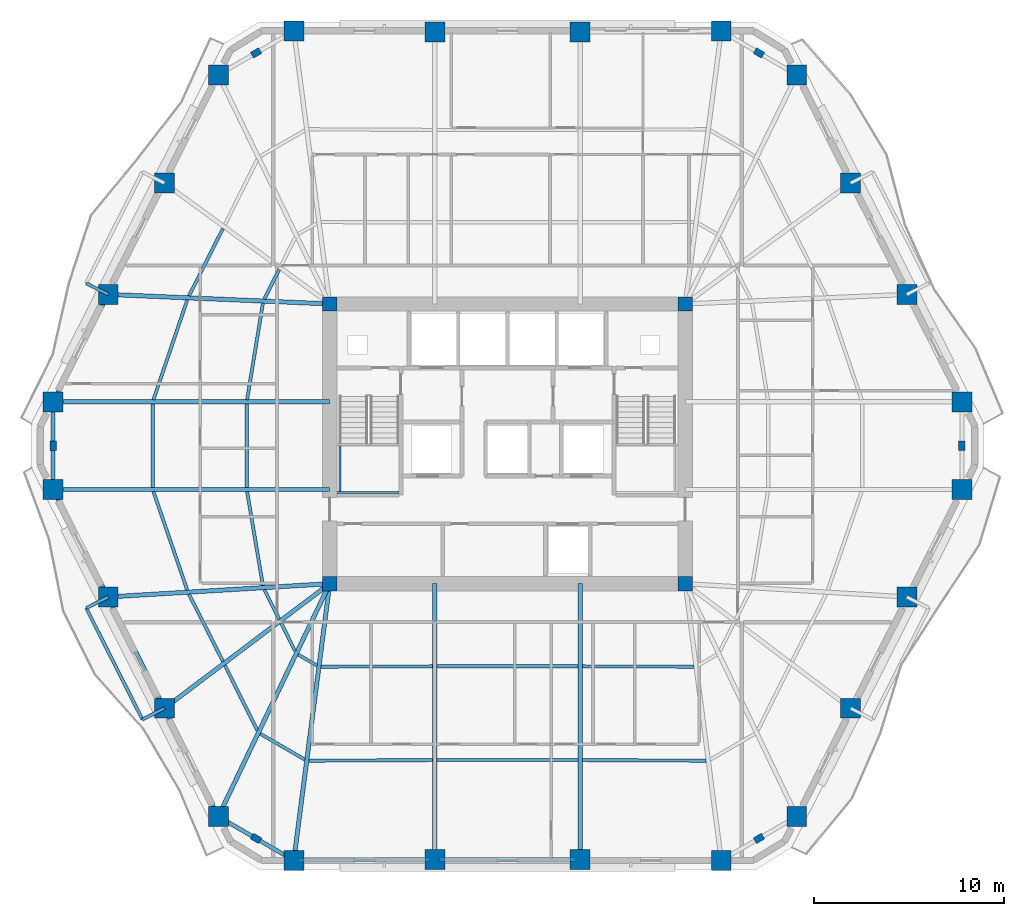
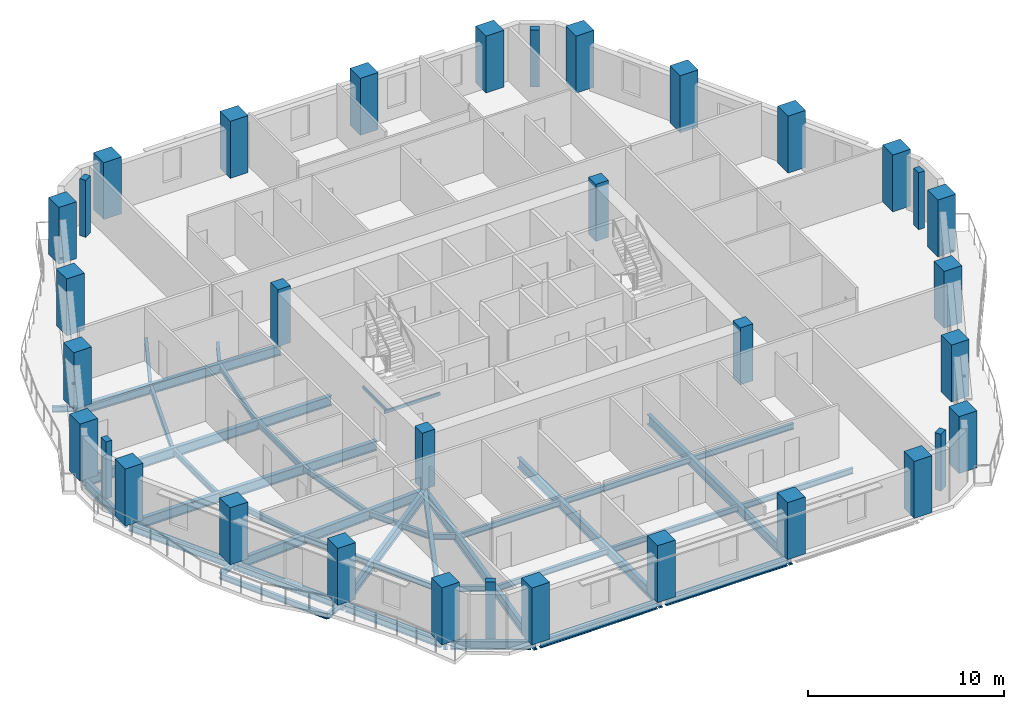
# One storey, part 1 of 12: 43 beams, 34 columns.
"""IFC4 building model written with IfcOpenShell, lengths in metres."""

from ifc_helpers import new_model, si_unit, direction, frame, origin, origin_2d, place, context, subcontext, project, spatial, rectangle, hollow_rectangle, i_section, extrude, material, material_profile, profile_set, type_object, element, save


model = new_model("IFC4")

# Units and contexts
model_context = context("Model", 3, precision=1e-05, world=origin(), true_north=direction((0.0, 1.0)))
body_context = subcontext(model_context, "Body", "Model", "MODEL_VIEW")
ifc_project = project(units=[si_unit("LENGTHUNIT", "METRE"), si_unit("AREAUNIT", "SQUARE_METRE"), si_unit("VOLUMEUNIT", "CUBIC_METRE"), si_unit("PLANEANGLEUNIT", "RADIAN"), si_unit("MASSUNIT", "GRAM", prefix="KILO")], contexts=[model_context])

# Site, building, storey
site_placement = place(None, origin())
site = spatial("IfcSite", under=ifc_project, at=site_placement, CompositionType="ELEMENT")
building_placement = place(site_placement, origin())
building = spatial("IfcBuilding", under=site, at=building_placement, Name="Cinnabar Lancet Tower", CompositionType="ELEMENT")
storey_placement = place(building_placement, frame((0.0, 0.0, 126.800048828125)))
storey = spatial("IfcBuildingStorey", under=building, at=storey_placement, Name="L33", CompositionType="ELEMENT", Elevation=126.800048828125)

# Columns
ifc_material_1 = material(Name="Concrete C70/85", Category="concrete")
ifc_material_profile_1 = material_profile(ifc_material_1, rectangle(XDim=0.75, YDim=0.75, at=origin_2d()), Name="RC-COL 750x750")
ifc_profile_set_1 = profile_set([ifc_material_profile_1], Name="Concrete C70/85")
column_type_1 = type_object("IfcColumnType", Name="STR-COL-CORE-750", PredefinedType="COLUMN", material=ifc_profile_set_1)
for number, where, z_axis, x_axis, name in (
    (1, (23.02490234375, 18.52490234375, 0.0), (0.0, 0.0, 1.0), (1.0, 0.0, 0.0), "L33 Core Corner Column SW"),
    (2, (41.77490234375, 18.52490234375, 0.0), (0.0, 0.0, 1.0), (1.0, 0.0, 0.0), "L33 Core Corner Column SE"),
    (3, (41.77490234375, 33.27490234375, 0.0), (0.0, 0.0, 1.0), (1.0, 0.0, 0.0), "L33 Core Corner Column NE"),
    (4, (23.02490234375, 33.27490234375, 0.0), (0.0, 0.0, 1.0), (1.0, 0.0, 0.0), "L33 Core Corner Column NW"),
):
    element("IfcColumn", number, at=place(storey_placement, frame(where, z_axis=z_axis, x_axis=x_axis)), inside=storey, type_object=column_type_1, Name=name, PredefinedType="COLUMN", context=body_context, shape_type="SweptSolid", body=[
        extrude(rectangle(XDim=0.75, YDim=0.75, at=origin_2d()), origin(), (0.0, 0.0, 1.0), 3.550048828125),
    ])
ifc_material_2 = material(Name="Concrete C60/75", Category="concrete")
ifc_material_profile_2 = material_profile(ifc_material_2, rectangle(XDim=0.5, YDim=0.35009765625, at=origin_2d()), Name="RC-PIL 500x350")
ifc_profile_set_2 = profile_set([ifc_material_profile_2], Name="Concrete C60/75")
column_type_2 = type_object("IfcColumnType", Name="STR-COL-PIL-500", PredefinedType="PILASTER", material=ifc_profile_set_2)
for number, where, z_axis, x_axis, name in (
    (5, (19.14111328125, 5.093017578125, 0.0), (0.0, 0.0, 1.0), (0.865160173452, -0.501495637342, 0.0), "L33 Chamfered Corner Pilaster 1"),
    (6, (45.658935546875, 5.093017578125, 0.0), (0.0, 0.0, 1.0), (0.865160173452, 0.501495637342, 0.0), "L33 Chamfered Corner Pilaster 2"),
    (7, (56.35693359375, 25.800048828125, 0.0), (0.0, 0.0, 1.0), (0.0, 1.0, 0.0), "L33 Chamfered Corner Pilaster 3"),
    (8, (45.658935546875, 46.508056640625, 0.0), (0.0, 0.0, 1.0), (-0.865160173452, 0.501495637342, 0.0), "L33 Chamfered Corner Pilaster 4"),
    (9, (19.14111328125, 46.508056640625, 0.0), (0.0, 0.0, 1.0), (-0.865160173452, -0.501495637342, 0.0), "L33 Chamfered Corner Pilaster 5"),
    (10, (8.443115234375, 25.800048828125, 0.0), (0.0, 0.0, 1.0), (0.0, -1.0, 0.0), "L33 Chamfered Corner Pilaster 6"),
):
    element("IfcColumn", number, at=place(storey_placement, frame(where, z_axis=z_axis, x_axis=x_axis)), inside=storey, type_object=column_type_2, Name=name, PredefinedType="PILASTER", context=body_context, shape_type="SweptSolid", body=[
        extrude(rectangle(XDim=0.5, YDim=0.35009765625, at=origin_2d()), origin(), (0.0, 0.0, 1.0), 3.550048828125),
    ])
ifc_material_3 = material(Name="Concrete C70/85", Category="concrete")
ifc_material_profile_3 = material_profile(ifc_material_3, rectangle(XDim=1.050048828125, YDim=1.050048828125, at=origin_2d()), Name="RC-COL 1050x1050")
ifc_profile_set_3 = profile_set([ifc_material_profile_3], Name="Concrete C70/85")
column_type_3 = type_object("IfcColumnType", Name="STR-COL-TUBE-1050", PredefinedType="COLUMN", material=ifc_profile_set_3)
for number, where, z_axis, x_axis, name in (
    (11, (21.131103515625, 3.93896484375, 0.0), (0.0, 0.0, 1.0), (1.0, 0.0, 0.0), "L33 Perimeter Tube Column 1"),
    (12, (28.568115234375, 3.991943359375, 0.0), (0.0, 0.0, 1.0), (1.0, 0.0, 0.0), "L33 Perimeter Tube Column 2"),
    (13, (36.23193359375, 3.991943359375, 0.0), (0.0, 0.0, 1.0), (1.0, 0.0, 0.0), "L33 Perimeter Tube Column 3"),
    (14, (43.6689453125, 3.93896484375, 0.0), (0.0, 0.0, 1.0), (1.0, 0.0, 0.0), "L33 Perimeter Tube Column 4"),
    (15, (47.64892578125, 6.24609375, 0.0), (0.0, 0.0, 1.0), (1.0, 0.0, 0.0), "L33 Perimeter Tube Column 5"),
    (16, (50.489013671875, 11.955078125, 0.0), (0.0, 0.0, 1.0), (1.0, 0.0, 0.0), "L33 Perimeter Tube Column 6"),
    (17, (53.451904296875, 17.823974609375, 0.0), (0.0, 0.0, 1.0), (1.0, 0.0, 0.0), "L33 Perimeter Tube Column 7"),
    (18, (56.35693359375, 23.490966796875, 0.0), (0.0, 0.0, 1.0), (1.0, 0.0, 0.0), "L33 Perimeter Tube Column 8"),
    (19, (56.35693359375, 28.10888671875, 0.0), (0.0, 0.0, 1.0), (1.0, 0.0, 0.0), "L33 Perimeter Tube Column 9"),
    (20, (53.451904296875, 33.77587890625, 0.0), (0.0, 0.0, 1.0), (1.0, 0.0, 0.0), "L33 Perimeter Tube Column 10"),
    (21, (50.489013671875, 39.64501953125, 0.0), (0.0, 0.0, 1.0), (1.0, 0.0, 0.0), "L33 Perimeter Tube Column 11"),
    (22, (47.64892578125, 45.35400390625, 0.0), (0.0, 0.0, 1.0), (1.0, 0.0, 0.0), "L33 Perimeter Tube Column 12"),
    (23, (43.6689453125, 47.660888671875, 0.0), (0.0, 0.0, 1.0), (1.0, 0.0, 0.0), "L33 Perimeter Tube Column 13"),
    (24, (36.23193359375, 47.60791015625, 0.0), (0.0, 0.0, 1.0), (1.0, 0.0, 0.0), "L33 Perimeter Tube Column 14"),
    (25, (28.568115234375, 47.60791015625, 0.0), (0.0, 0.0, 1.0), (1.0, 0.0, 0.0), "L33 Perimeter Tube Column 15"),
    (26, (21.131103515625, 47.660888671875, 0.0), (0.0, 0.0, 1.0), (1.0, 0.0, 0.0), "L33 Perimeter Tube Column 16"),
    (27, (17.15087890625, 45.35400390625, 0.0), (0.0, 0.0, 1.0), (1.0, 0.0, 0.0), "L33 Perimeter Tube Column 17"),
    (28, (14.31103515625, 39.64501953125, 0.0), (0.0, 0.0, 1.0), (1.0, 0.0, 0.0), "L33 Perimeter Tube Column 18"),
    (29, (11.347900390625, 33.77587890625, 0.0), (0.0, 0.0, 1.0), (1.0, 0.0, 0.0), "L33 Perimeter Tube Column 19"),
    (30, (8.443115234375, 28.10888671875, 0.0), (0.0, 0.0, 1.0), (1.0, 0.0, 0.0), "L33 Perimeter Tube Column 20"),
    (31, (8.443115234375, 23.490966796875, 0.0), (0.0, 0.0, 1.0), (1.0, 0.0, 0.0), "L33 Perimeter Tube Column 21"),
    (32, (11.347900390625, 17.823974609375, 0.0), (0.0, 0.0, 1.0), (1.0, 0.0, 0.0), "L33 Perimeter Tube Column 22"),
    (33, (14.31103515625, 11.955078125, 0.0), (0.0, 0.0, 1.0), (1.0, 0.0, 0.0), "L33 Perimeter Tube Column 23"),
    (34, (17.15087890625, 6.24609375, 0.0), (0.0, 0.0, 1.0), (1.0, 0.0, 0.0), "L33 Perimeter Tube Column 24"),
):
    element("IfcColumn", number, at=place(storey_placement, frame(where, z_axis=z_axis, x_axis=x_axis)), inside=storey, type_object=column_type_3, Name=name, PredefinedType="COLUMN", context=body_context, shape_type="SweptSolid", body=[
        extrude(rectangle(XDim=1.050048828125, YDim=1.050048828125, at=origin_2d()), origin(), (0.0, 0.0, 1.0), 3.550048828125),
    ])

# Beams
ifc_material_4 = material(Name="Structural steel S355", Category="steel")
ifc_material_profile_4 = material_profile(ifc_material_4, i_section(OverallWidth=0.17138671875, OverallDepth=0.35498046875, WebThickness=0.00732421875, FlangeThickness=0.011474609375, FilletRadius=0.01025390625, at=origin_2d()), Name="UKB 356x171x51")
ifc_profile_set_4 = profile_set([ifc_material_profile_4], Name="Structural steel S355")
beam_type_1 = type_object("IfcBeamType", Name="STR-BM-JST-356", PredefinedType="JOIST", material=ifc_profile_set_4)
beam_1_placement = place(storey_placement, frame((13.73193359375, 23.376953125, -0.386962890625), z_axis=(0.324639458548, -0.945837841257, 0.0), x_axis=(0.945837841257, 0.324639458548, 0.0)))
element("IfcBeam", 35, at=beam_1_placement, inside=storey, type_object=beam_type_1, Name="L33 Secondary Floor Joist 1", PredefinedType="JOIST", context=body_context, shape_type="SweptSolid", body=[
    extrude(i_section(OverallWidth=0.17138671875, OverallDepth=0.35498046875, WebThickness=0.00732421875, FlangeThickness=0.011474609375, FilletRadius=0.01025390625, at=origin_2d()), origin(), (0.0, 0.0, 1.0), 5.486083984375),
])
beam_2_placement = place(storey_placement, frame((18.669921875, 23.376953125, -0.386962890625), z_axis=(0.165984412241, -0.986128376477, 0.0), x_axis=(0.986128376477, 0.165984412241, 0.0)))
element("IfcBeam", 36, at=beam_2_placement, inside=storey, type_object=beam_type_1, Name="L33 Secondary Floor Joist 2", PredefinedType="JOIST", context=body_context, shape_type="SweptSolid", body=[
    extrude(i_section(OverallWidth=0.17138671875, OverallDepth=0.35498046875, WebThickness=0.00732421875, FlangeThickness=0.011474609375, FilletRadius=0.01025390625, at=origin_2d()), origin(), (0.0, 0.0, 1.0), 5.0185546875),
])
beam_3_placement = place(storey_placement, frame((15.60791015625, 17.965087890625, -0.386962890625), z_axis=(0.450755070916, -0.892647671841, 0.0), x_axis=(0.892647671841, 0.450755070916, 0.0)))
element("IfcBeam", 37, at=beam_3_placement, inside=storey, type_object=beam_type_1, Name="L33 Secondary Floor Joist 3", PredefinedType="JOIST", context=body_context, shape_type="SweptSolid", body=[
    extrude(i_section(OverallWidth=0.17138671875, OverallDepth=0.35498046875, WebThickness=0.00732421875, FlangeThickness=0.011474609375, FilletRadius=0.01025390625, at=origin_2d()), origin(), (0.0, 0.0, 1.0), 3.966796875),
])
beam_4_placement = place(storey_placement, frame((19.577880859375, 18.2041015625, -0.386962890625), z_axis=(0.450874341268, -0.892587434589, 0.0), x_axis=(0.892587434589, 0.450874341268, 0.0)))
element("IfcBeam", 38, at=beam_4_placement, inside=storey, type_object=beam_type_1, Name="L33 Secondary Floor Joist 4", PredefinedType="JOIST", context=body_context, shape_type="SweptSolid", body=[
    extrude(i_section(OverallWidth=0.17138671875, OverallDepth=0.35498046875, WebThickness=0.00732421875, FlangeThickness=0.011474609375, FilletRadius=0.01025390625, at=origin_2d()), origin(), (0.0, 0.0, 1.0), 1.732177734375),
])
beam_5_placement = place(storey_placement, frame((17.5, 14.216064453125, -0.386962890625), z_axis=(0.445295120803, -0.895383859241, 0.0), x_axis=(0.895383859241, 0.445295120803, 0.0)))
element("IfcBeam", 39, at=beam_5_placement, inside=storey, type_object=beam_type_1, Name="L33 Secondary Floor Joist 5", PredefinedType="JOIST", context=body_context, shape_type="SweptSolid", body=[
    extrude(i_section(OverallWidth=0.17138671875, OverallDepth=0.35498046875, WebThickness=0.00732421875, FlangeThickness=0.011474609375, FilletRadius=0.01025390625, at=origin_2d()), origin(), (0.0, 0.0, 1.0), 3.81982421875),
])
beam_6_placement = place(storey_placement, frame((20.4619140625, 16.449951171875, -0.386962890625), z_axis=(0.445557690111, -0.895253229418, 0.0), x_axis=(0.895253229418, 0.445557690111, 0.0)))
element("IfcBeam", 40, at=beam_6_placement, inside=storey, type_object=beam_type_1, Name="L33 Secondary Floor Joist 6", PredefinedType="JOIST", context=body_context, shape_type="SweptSolid", body=[
    extrude(i_section(OverallWidth=0.17138671875, OverallDepth=0.35498046875, WebThickness=0.00732421875, FlangeThickness=0.011474609375, FilletRadius=0.01025390625, at=origin_2d()), origin(), (0.0, 0.0, 1.0), 1.652099609375),
])
beam_7_placement = place(storey_placement, frame((19.364990234375, 10.60888671875, -0.386962890625), z_axis=(0.865172906898, -0.501473669469, 0.0), x_axis=(0.501473669469, 0.865172906898, 0.0)))
element("IfcBeam", 41, at=beam_7_placement, inside=storey, type_object=beam_type_1, Name="L33 Secondary Floor Joist 7", PredefinedType="JOIST", context=body_context, shape_type="SweptSolid", body=[
    extrude(i_section(OverallWidth=0.17138671875, OverallDepth=0.35498046875, WebThickness=0.00732421875, FlangeThickness=0.011474609375, FilletRadius=0.01025390625, at=origin_2d()), origin(), (0.0, 0.0, 1.0), 2.705810546875),
])
beam_8_placement = place(storey_placement, frame((21.362060546875, 14.783935546875, -0.386962890625), z_axis=(0.865055308165, -0.501676503154, 0.0), x_axis=(0.501676503154, 0.865055308165, 0.0)))
element("IfcBeam", 42, at=beam_8_placement, inside=storey, type_object=beam_type_1, Name="L33 Secondary Floor Joist 8", PredefinedType="JOIST", context=body_context, shape_type="SweptSolid", body=[
    extrude(i_section(OverallWidth=0.17138671875, OverallDepth=0.35498046875, WebThickness=0.00732421875, FlangeThickness=0.011474609375, FilletRadius=0.01025390625, at=origin_2d()), origin(), (0.0, 0.0, 1.0), 1.14208984375),
])
beam_9_placement = place(storey_placement, frame((21.927978515625, 9.19091796875, -0.386962890625), z_axis=(0.999987991898, 0.004900618269, 0.0), x_axis=(-0.004900618269, 0.999987991898, 0.0)))
element("IfcBeam", 43, at=beam_9_placement, inside=storey, type_object=beam_type_1, Name="L33 Secondary Floor Joist 9", PredefinedType="JOIST", context=body_context, shape_type="SweptSolid", body=[
    extrude(i_section(OverallWidth=0.17138671875, OverallDepth=0.35498046875, WebThickness=0.00732421875, FlangeThickness=0.011474609375, FilletRadius=0.01025390625, at=origin_2d()), origin(), (0.0, 0.0, 1.0), 6.526123046875),
])
beam_10_placement = place(storey_placement, frame((22.572021484375, 14.14892578125, -0.386962890625), z_axis=(0.999996247906, 0.002739374605, 0.0), x_axis=(-0.002739374605, 0.999996247906, 0.0)))
element("IfcBeam", 44, at=beam_10_placement, inside=storey, type_object=beam_type_1, Name="L33 Secondary Floor Joist 10", PredefinedType="JOIST", context=body_context, shape_type="SweptSolid", body=[
    extrude(i_section(OverallWidth=0.17138671875, OverallDepth=0.35498046875, WebThickness=0.00732421875, FlangeThickness=0.011474609375, FilletRadius=0.01025390625, at=origin_2d()), origin(), (0.0, 0.0, 1.0), 5.882080078125),
])
for number, where, z_axis, x_axis, name in (
    (45, (28.681884765625, 9.22412109375, -0.386962890625), (1.0, 0.0, 0.0), (0.0, 1.0, 0.0), "L33 Secondary Floor Joist 11"),
    (46, (28.681884765625, 14.1650390625, -0.386962890625), (1.0, 0.0, 0.0), (0.0, 1.0, 0.0), "L33 Secondary Floor Joist 12"),
):
    element("IfcBeam", number, at=place(storey_placement, frame(where, z_axis=z_axis, x_axis=x_axis)), inside=storey, type_object=beam_type_1, Name=name, PredefinedType="JOIST", context=body_context, shape_type="SweptSolid", body=[
        extrude(i_section(OverallWidth=0.17138671875, OverallDepth=0.35498046875, WebThickness=0.00732421875, FlangeThickness=0.011474609375, FilletRadius=0.01025390625, at=origin_2d()), origin(), (0.0, 0.0, 1.0), 7.43603515625),
    ])
beam_11_placement = place(storey_placement, frame((36.345947265625, 9.222900390625, -0.386962890625), z_axis=(0.999987991898, -0.004900618269, 0.0), x_axis=(0.004900618269, 0.999987991898, 0.0)))
element("IfcBeam", 47, at=beam_11_placement, inside=storey, type_object=beam_type_1, Name="L33 Secondary Floor Joist 13", PredefinedType="JOIST", context=body_context, shape_type="SweptSolid", body=[
    extrude(i_section(OverallWidth=0.17138671875, OverallDepth=0.35498046875, WebThickness=0.00732421875, FlangeThickness=0.011474609375, FilletRadius=0.01025390625, at=origin_2d()), origin(), (0.0, 0.0, 1.0), 6.526123046875),
])
beam_12_placement = place(storey_placement, frame((36.345947265625, 14.1650390625, -0.386962890625), z_axis=(0.999996247906, -0.002739374605, 0.0), x_axis=(0.002739374605, 0.999996247906, 0.0)))
element("IfcBeam", 48, at=beam_12_placement, inside=storey, type_object=beam_type_1, Name="L33 Secondary Floor Joist 14", PredefinedType="JOIST", context=body_context, shape_type="SweptSolid", body=[
    extrude(i_section(OverallWidth=0.17138671875, OverallDepth=0.35498046875, WebThickness=0.00732421875, FlangeThickness=0.011474609375, FilletRadius=0.01025390625, at=origin_2d()), origin(), (0.0, 0.0, 1.0), 5.882080078125),
])
beam_13_placement = place(storey_placement, frame((17.39599609375, 37.2490234375, -0.386962890625), z_axis=(-0.450656035687, -0.892697674187, 0.0), x_axis=(0.892697674187, -0.450656035687, 0.0)))
element("IfcBeam", 49, at=beam_13_placement, inside=storey, type_object=beam_type_1, Name="L33 Secondary Floor Joist 43", PredefinedType="JOIST", context=body_context, shape_type="SweptSolid", body=[
    extrude(i_section(OverallWidth=0.17138671875, OverallDepth=0.35498046875, WebThickness=0.00732421875, FlangeThickness=0.011474609375, FilletRadius=0.01025390625, at=origin_2d()), origin(), (0.0, 0.0, 1.0), 3.9677734375),
])
beam_14_placement = place(storey_placement, frame((20.35888671875, 35.0830078125, -0.386962890625), z_axis=(-0.450931068976, -0.892558777354, 0.0), x_axis=(0.892558777354, -0.450931068976, 0.0)))
element("IfcBeam", 50, at=beam_14_placement, inside=storey, type_object=beam_type_1, Name="L33 Secondary Floor Joist 44", PredefinedType="JOIST", context=body_context, shape_type="SweptSolid", body=[
    extrude(i_section(OverallWidth=0.17138671875, OverallDepth=0.35498046875, WebThickness=0.00732421875, FlangeThickness=0.011474609375, FilletRadius=0.01025390625, at=origin_2d()), origin(), (0.0, 0.0, 1.0), 1.73193359375),
])
beam_15_placement = place(storey_placement, frame((15.513916015625, 33.48291015625, -0.386962890625), z_axis=(-0.321023911172, -0.947071089442, 0.0), x_axis=(0.947071089442, -0.321023911172, 0.0)))
element("IfcBeam", 51, at=beam_15_placement, inside=storey, type_object=beam_type_1, Name="L33 Secondary Floor Joist 45", PredefinedType="JOIST", context=body_context, shape_type="SweptSolid", body=[
    extrude(i_section(OverallWidth=0.17138671875, OverallDepth=0.35498046875, WebThickness=0.00732421875, FlangeThickness=0.011474609375, FilletRadius=0.01025390625, at=origin_2d()), origin(), (0.0, 0.0, 1.0), 5.553955078125),
])
beam_16_placement = place(storey_placement, frame((19.5029296875, 33.31201171875, -0.386962890625), z_axis=(-0.161719098977, -0.986836832017, 0.0), x_axis=(0.986836832017, -0.161719098977, 0.0)))
element("IfcBeam", 52, at=beam_16_placement, inside=storey, type_object=beam_type_1, Name="L33 Secondary Floor Joist 46", PredefinedType="JOIST", context=body_context, shape_type="SweptSolid", body=[
    extrude(i_section(OverallWidth=0.17138671875, OverallDepth=0.35498046875, WebThickness=0.00732421875, FlangeThickness=0.011474609375, FilletRadius=0.01025390625, at=origin_2d()), origin(), (0.0, 0.0, 1.0), 5.156982421875),
])
for number, where, z_axis, x_axis, name in (
    (53, (13.693115234375, 27.9951171875, -0.386962890625), (0.0, -1.0, 0.0), (1.0, 0.0, 0.0), "L33 Secondary Floor Joist 47"),
    (54, (18.64990234375, 27.9951171875, -0.386962890625), (0.0, -1.0, 0.0), (1.0, 0.0, 0.0), "L33 Secondary Floor Joist 48"),
):
    element("IfcBeam", number, at=place(storey_placement, frame(where, z_axis=z_axis, x_axis=x_axis)), inside=storey, type_object=beam_type_1, Name=name, PredefinedType="JOIST", context=body_context, shape_type="SweptSolid", body=[
        extrude(i_section(OverallWidth=0.17138671875, OverallDepth=0.35498046875, WebThickness=0.00732421875, FlangeThickness=0.011474609375, FilletRadius=0.01025390625, at=origin_2d()), origin(), (0.0, 0.0, 1.0), 4.39013671875),
    ])
ifc_material_5 = material(Name="Structural steel S355", Category="steel")
ifc_material_profile_5 = material_profile(ifc_material_5, hollow_rectangle(XDim=0.10009765625, YDim=0.199951171875, WallThickness=0.008056640625, InnerFilletRadius=0.00390625, OuterFilletRadius=0.011962890625, at=origin_2d()), Name="RHS 200x100x8")
ifc_profile_set_5 = profile_set([ifc_material_profile_5], Name="Structural steel S355")
beam_type_2 = type_object("IfcBeamType", Name="STR-BM-LND-203", PredefinedType="BEAM", material=ifc_profile_set_5)
beam_17_placement = place(storey_placement, frame((23.39990234375, 23.330078125, 1.474853515625), z_axis=(1.0, 0.0, 0.0), x_axis=(0.0, 1.0, 0.0)))
element("IfcBeam", 55, at=beam_17_placement, inside=storey, type_object=beam_type_2, Name="L33 ST-1-L33 Landing Support Beam S", PredefinedType="BEAM", context=body_context, shape_type="SweptSolid", body=[
    extrude(hollow_rectangle(XDim=0.10009765625, YDim=0.199951171875, WallThickness=0.008056640625, InnerFilletRadius=0.00390625, OuterFilletRadius=0.011962890625, at=origin_2d()), origin(), (0.0, 0.0, 1.0), 3.280029296875),
])
beam_18_placement = place(storey_placement, frame((23.580078125, 23.3798828125, 1.474853515625), z_axis=(0.0, 1.0, 0.0), x_axis=(-1.0, 0.0, 0.0)))
element("IfcBeam", 56, at=beam_18_placement, inside=storey, type_object=beam_type_2, Name="L33 ST-1-L33 Landing Side Trimmer Beam", PredefinedType="BEAM", context=body_context, shape_type="SweptSolid", body=[
    extrude(hollow_rectangle(XDim=0.10009765625, YDim=0.199951171875, WallThickness=0.008056640625, InnerFilletRadius=0.00390625, OuterFilletRadius=0.011962890625, at=origin_2d()), origin(), (0.0, 0.0, 1.0), 2.4150390625),
])
ifc_material_6 = material(Name="Structural steel S355", Category="steel")
ifc_material_profile_6 = material_profile(ifc_material_6, i_section(OverallWidth=0.209228515625, OverallDepth=0.533203125, WebThickness=0.010009765625, FlangeThickness=0.015625, FilletRadius=0.0126953125, at=origin_2d()), Name="UKB 533x210x92")
ifc_profile_set_6 = profile_set([ifc_material_profile_6], Name="Structural steel S355")
beam_type_3 = type_object("IfcBeamType", Name="STR-BM-SPN-533", PredefinedType="SPANDREL", material=ifc_profile_set_6)
beam_19_placement = place(storey_placement, frame((21.381103515625, 3.94091796875, -0.47705078125), z_axis=(0.999974980359, 0.007073800628, 0.0), x_axis=(-0.007073800628, 0.999974980359, 0.0)))
element("IfcBeam", 57, at=beam_19_placement, inside=storey, type_object=beam_type_3, Name="L33 Perimeter Spandrel 1", PredefinedType="SPANDREL", context=body_context, shape_type="SweptSolid", body=[
    extrude(i_section(OverallWidth=0.209228515625, OverallDepth=0.533203125, WebThickness=0.010009765625, FlangeThickness=0.015625, FilletRadius=0.0126953125, at=origin_2d()), origin(), (0.0, 0.0, 1.0), 6.937255859375),
])
beam_20_placement = place(storey_placement, frame((28.818115234375, 3.991943359375, -0.47705078125), z_axis=(1.0, 0.0, 0.0), x_axis=(0.0, 1.0, 0.0)))
element("IfcBeam", 58, at=beam_20_placement, inside=storey, type_object=beam_type_3, Name="L33 Perimeter Spandrel 2", PredefinedType="SPANDREL", context=body_context, shape_type="SweptSolid", body=[
    extrude(i_section(OverallWidth=0.209228515625, OverallDepth=0.533203125, WebThickness=0.010009765625, FlangeThickness=0.015625, FilletRadius=0.0126953125, at=origin_2d()), origin(), (0.0, 0.0, 1.0), 7.163818359375),
])
beam_21_placement = place(storey_placement, frame((11.23388671875, 33.553955078125, -0.47705078125), z_axis=(-0.456126618405, -0.889914888055, 0.0), x_axis=(0.889914888055, -0.456126618405, 0.0)))
element("IfcBeam", 59, at=beam_21_placement, inside=storey, type_object=beam_type_3, Name="L33 Perimeter Spandrel 19", PredefinedType="SPANDREL", context=body_context, shape_type="SweptSolid", body=[
    extrude(i_section(OverallWidth=0.209228515625, OverallDepth=0.533203125, WebThickness=0.010009765625, FlangeThickness=0.015625, FilletRadius=0.0126953125, at=origin_2d()), origin(), (0.0, 0.0, 1.0), 5.868896484375),
])
beam_22_placement = place(storey_placement, frame((8.443115234375, 27.85888671875, -0.47705078125), z_axis=(0.0, -1.0, 0.0), x_axis=(1.0, 0.0, 0.0)))
element("IfcBeam", 60, at=beam_22_placement, inside=storey, type_object=beam_type_3, Name="L33 Perimeter Spandrel 20", PredefinedType="SPANDREL", context=body_context, shape_type="SweptSolid", body=[
    extrude(i_section(OverallWidth=0.209228515625, OverallDepth=0.533203125, WebThickness=0.010009765625, FlangeThickness=0.015625, FilletRadius=0.0126953125, at=origin_2d()), origin(), (0.0, 0.0, 1.0), 4.117919921875),
])
beam_23_placement = place(storey_placement, frame((8.556884765625, 23.26904296875, -0.47705078125), z_axis=(0.456109733574, -0.889923542187, 0.0), x_axis=(0.889923542187, 0.456109733574, 0.0)))
element("IfcBeam", 61, at=beam_23_placement, inside=storey, type_object=beam_type_3, Name="L33 Perimeter Spandrel 21", PredefinedType="SPANDREL", context=body_context, shape_type="SweptSolid", body=[
    extrude(i_section(OverallWidth=0.209228515625, OverallDepth=0.533203125, WebThickness=0.010009765625, FlangeThickness=0.015625, FilletRadius=0.0126953125, at=origin_2d()), origin(), (0.0, 0.0, 1.0), 5.869140625),
])
beam_24_placement = place(storey_placement, frame((11.4609375, 17.60107421875, -0.47705078125), z_axis=(0.450570325924, -0.892740937449, 0.0), x_axis=(0.892740937449, 0.450570325924, 0.0)))
element("IfcBeam", 62, at=beam_24_placement, inside=storey, type_object=beam_type_3, Name="L33 Perimeter Spandrel 22", PredefinedType="SPANDREL", context=body_context, shape_type="SweptSolid", body=[
    extrude(i_section(OverallWidth=0.209228515625, OverallDepth=0.533203125, WebThickness=0.010009765625, FlangeThickness=0.015625, FilletRadius=0.0126953125, at=origin_2d()), origin(), (0.0, 0.0, 1.0), 6.07470703125),
])
beam_25_placement = place(storey_placement, frame((14.422119140625, 11.73095703125, -0.47705078125), z_axis=(0.445501068635, -0.89528140707, 0.0), x_axis=(0.89528140707, 0.445501068635, 0.0)))
element("IfcBeam", 63, at=beam_25_placement, inside=storey, type_object=beam_type_3, Name="L33 Perimeter Spandrel 23", PredefinedType="SPANDREL", context=body_context, shape_type="SweptSolid", body=[
    extrude(i_section(OverallWidth=0.209228515625, OverallDepth=0.533203125, WebThickness=0.010009765625, FlangeThickness=0.015625, FilletRadius=0.0126953125, at=origin_2d()), origin(), (0.0, 0.0, 1.0), 5.87646484375),
])
beam_26_placement = place(storey_placement, frame((17.366943359375, 6.12109375, -0.47705078125), z_axis=(0.865112299906, -0.501578217781, 0.0), x_axis=(0.501578217781, 0.865112299906, 0.0)))
element("IfcBeam", 64, at=beam_26_placement, inside=storey, type_object=beam_type_3, Name="L33 Perimeter Spandrel 24", PredefinedType="SPANDREL", context=body_context, shape_type="SweptSolid", body=[
    extrude(i_section(OverallWidth=0.209228515625, OverallDepth=0.533203125, WebThickness=0.010009765625, FlangeThickness=0.015625, FilletRadius=0.0126953125, at=origin_2d()), origin(), (0.0, 0.0, 1.0), 4.101318359375),
])
ifc_material_7 = material(Name="Structural steel S355", Category="steel")
ifc_material_profile_7 = material_profile(ifc_material_7, i_section(OverallWidth=0.228271484375, OverallDepth=0.607666015625, WebThickness=0.010986328125, FlangeThickness=0.017333984375, FilletRadius=0.0126953125, at=origin_2d()), Name="UKB 610x229x113")
ifc_profile_set_7 = profile_set([ifc_material_profile_7], Name="Structural steel S355")
beam_type_4 = type_object("IfcBeamType", Name="STR-BM-UKB610-113", PredefinedType="BEAM", material=ifc_profile_set_7)
beam_27_placement = place(storey_placement, frame((14.31103515625, 11.955078125, -0.51416015625), z_axis=(0.798483350078, 0.602016893158, 0.0), x_axis=(-0.602016893158, 0.798483350078, 0.0)))
element("IfcBeam", 65, at=beam_27_placement, inside=storey, type_object=beam_type_4, Name="L33 Corner Collector Girder 1", PredefinedType="BEAM", context=body_context, shape_type="SweptSolid", body=[
    extrude(i_section(OverallWidth=0.228271484375, OverallDepth=0.607666015625, WebThickness=0.010986328125, FlangeThickness=0.017333984375, FilletRadius=0.0126953125, at=origin_2d()), origin(), (0.0, 0.0, 1.0), 10.9130859375),
])
beam_28_placement = place(storey_placement, frame((21.131103515625, 3.93896484375, -0.51416015625), z_axis=(0.128756570002, 0.991676230269, 0.0), x_axis=(-0.991676230269, 0.128756570002, 0.0)))
element("IfcBeam", 66, at=beam_28_placement, inside=storey, type_object=beam_type_4, Name="L33 Primary Floor Girder 1", PredefinedType="BEAM", context=body_context, shape_type="SweptSolid", body=[
    extrude(i_section(OverallWidth=0.228271484375, OverallDepth=0.607666015625, WebThickness=0.010986328125, FlangeThickness=0.017333984375, FilletRadius=0.0126953125, at=origin_2d()), origin(), (0.0, 0.0, 1.0), 14.708251953125),
])
for number, where, z_axis, x_axis, name in (
    (67, (28.568115234375, 3.991943359375, -0.51416015625), (0.0, 1.0, 0.0), (-1.0, 0.0, 0.0), "L33 Primary Floor Girder 2"),
    (68, (36.23193359375, 3.991943359375, -0.51416015625), (0.0, 1.0, 0.0), (-1.0, 0.0, 0.0), "L33 Primary Floor Girder 3"),
):
    element("IfcBeam", number, at=place(storey_placement, frame(where, z_axis=z_axis, x_axis=x_axis)), inside=storey, type_object=beam_type_4, Name=name, PredefinedType="BEAM", context=body_context, shape_type="SweptSolid", body=[
        extrude(i_section(OverallWidth=0.228271484375, OverallDepth=0.607666015625, WebThickness=0.010986328125, FlangeThickness=0.017333984375, FilletRadius=0.0126953125, at=origin_2d()), origin(), (0.0, 0.0, 1.0), 14.532958984375),
    ])
beam_29_placement = place(storey_placement, frame((11.347900390625, 33.77587890625, -0.51416015625), z_axis=(0.999080941658, -0.042863411158, 0.0), x_axis=(0.042863411158, 0.999080941658, 0.0)))
element("IfcBeam", 69, at=beam_29_placement, inside=storey, type_object=beam_type_4, Name="L33 Primary Floor Girder 19", PredefinedType="BEAM", context=body_context, shape_type="SweptSolid", body=[
    extrude(i_section(OverallWidth=0.228271484375, OverallDepth=0.607666015625, WebThickness=0.010986328125, FlangeThickness=0.017333984375, FilletRadius=0.0126953125, at=origin_2d()), origin(), (0.0, 0.0, 1.0), 11.687744140625),
])
for number, where, z_axis, x_axis, name in (
    (70, (8.443115234375, 28.10888671875, -0.51416015625), (1.0, 0.0, 0.0), (0.0, 1.0, 0.0), "L33 Primary Floor Girder 20"),
    (71, (8.443115234375, 23.490966796875, -0.51416015625), (1.0, 0.0, 0.0), (0.0, 1.0, 0.0), "L33 Primary Floor Girder 21"),
):
    element("IfcBeam", number, at=place(storey_placement, frame(where, z_axis=z_axis, x_axis=x_axis)), inside=storey, type_object=beam_type_4, Name=name, PredefinedType="BEAM", context=body_context, shape_type="SweptSolid", body=[
        extrude(i_section(OverallWidth=0.228271484375, OverallDepth=0.607666015625, WebThickness=0.010986328125, FlangeThickness=0.017333984375, FilletRadius=0.0126953125, at=origin_2d()), origin(), (0.0, 0.0, 1.0), 14.581787109375),
    ])
beam_30_placement = place(storey_placement, frame((11.347900390625, 17.823974609375, -0.51416015625), z_axis=(0.998203272991, 0.059918492897, 0.0), x_axis=(-0.059918492897, 0.998203272991, 0.0)))
element("IfcBeam", 72, at=beam_30_placement, inside=storey, type_object=beam_type_4, Name="L33 Primary Floor Girder 22", PredefinedType="BEAM", context=body_context, shape_type="SweptSolid", body=[
    extrude(i_section(OverallWidth=0.228271484375, OverallDepth=0.607666015625, WebThickness=0.010986328125, FlangeThickness=0.017333984375, FilletRadius=0.0126953125, at=origin_2d()), origin(), (0.0, 0.0, 1.0), 11.697998046875),
])
beam_31_placement = place(storey_placement, frame((17.15087890625, 6.24609375, -0.51416015625), z_axis=(0.431548156881, 0.902089900339, 0.0), x_axis=(-0.902089900339, 0.431548156881, 0.0)))
element("IfcBeam", 73, at=beam_31_placement, inside=storey, type_object=beam_type_4, Name="L33 Primary Floor Girder 24", PredefinedType="BEAM", context=body_context, shape_type="SweptSolid", body=[
    extrude(i_section(OverallWidth=0.228271484375, OverallDepth=0.607666015625, WebThickness=0.010986328125, FlangeThickness=0.017333984375, FilletRadius=0.0126953125, at=origin_2d()), origin(), (0.0, 0.0, 1.0), 13.611572265625),
])
ifc_material_8 = material(Name="Structural steel S355", Category="steel")
ifc_material_profile_8 = material_profile(ifc_material_8, i_section(OverallWidth=0.17138671875, OverallDepth=0.35498046875, WebThickness=0.00732421875, FlangeThickness=0.011474609375, FilletRadius=0.01025390625, at=origin_2d()), Name="UKB 356x171x51")
ifc_profile_set_8 = profile_set([ifc_material_profile_8], Name="Structural steel S355")
beam_type_5 = type_object("IfcBeamType", Name="STR-BM-WAV-OUT", PredefinedType="BEAM", material=ifc_profile_set_8)
for number, where, z_axis, x_axis, name in (
    (74, (11.347900390625, 33.77587890625, -0.39697265625), (-0.892200264127, 0.451639998995, 0.0), (-0.451639998995, -0.892200264127, 0.0), "L33 Face 5 Balcony Outlooker B"),
    (75, (11.347900390625, 17.823974609375, -0.39697265625), (-0.89227592947, -0.451490493464, 0.0), (0.451490493464, -0.89227592947, 0.0), "L33 Face 6 Balcony Outlooker A"),
):
    element("IfcBeam", number, at=place(storey_placement, frame(where, z_axis=z_axis, x_axis=x_axis)), inside=storey, type_object=beam_type_5, Name=name, PredefinedType="BEAM", context=body_context, shape_type="SweptSolid", body=[
        extrude(i_section(OverallWidth=0.17138671875, OverallDepth=0.35498046875, WebThickness=0.00732421875, FlangeThickness=0.011474609375, FilletRadius=0.01025390625, at=origin_2d()), origin(), (0.0, 0.0, 1.0), 1.300048828125),
    ])
beam_32_placement = place(storey_placement, frame((14.31103515625, 11.955078125, -0.39697265625), z_axis=(-0.892238560088, -0.451564338597, 0.0), x_axis=(0.451564338597, -0.892238560088, 0.0)))
element("IfcBeam", 76, at=beam_32_placement, inside=storey, type_object=beam_type_5, Name="L33 Face 6 Balcony Outlooker B", PredefinedType="BEAM", context=body_context, shape_type="SweptSolid", body=[
    extrude(i_section(OverallWidth=0.17138671875, OverallDepth=0.35498046875, WebThickness=0.00732421875, FlangeThickness=0.011474609375, FilletRadius=0.01025390625, at=origin_2d()), origin(), (0.0, 0.0, 1.0), 1.30029296875),
])
ifc_material_9 = material(Name="Structural steel S355", Category="steel")
ifc_material_profile_9 = material_profile(ifc_material_9, i_section(OverallWidth=0.17138671875, OverallDepth=0.35498046875, WebThickness=0.00732421875, FlangeThickness=0.011474609375, FilletRadius=0.01025390625, at=origin_2d()), Name="UKB 356x171x51")
ifc_profile_set_9 = profile_set([ifc_material_profile_9], Name="Structural steel S355")
beam_type_6 = type_object("IfcBeamType", Name="STR-BM-WAV-TRIM", PredefinedType="SPANDREL", material=ifc_profile_set_9)
beam_33_placement = place(storey_placement, frame((10.18798828125, 17.237060546875, -0.39697265625), z_axis=(0.450656296771, -0.892697542385, 0.0), x_axis=(0.892697542385, 0.450656296771, 0.0)))
element("IfcBeam", 77, at=beam_33_placement, inside=storey, type_object=beam_type_6, Name="L33 Face 6 Balcony Edge Trimmer", PredefinedType="SPANDREL", context=body_context, shape_type="SweptSolid", body=[
    extrude(i_section(OverallWidth=0.17138671875, OverallDepth=0.35498046875, WebThickness=0.00732421875, FlangeThickness=0.011474609375, FilletRadius=0.01025390625, at=origin_2d()), origin(), (0.0, 0.0, 1.0), 6.57470703125),
])

save(model, "model.ifc")
